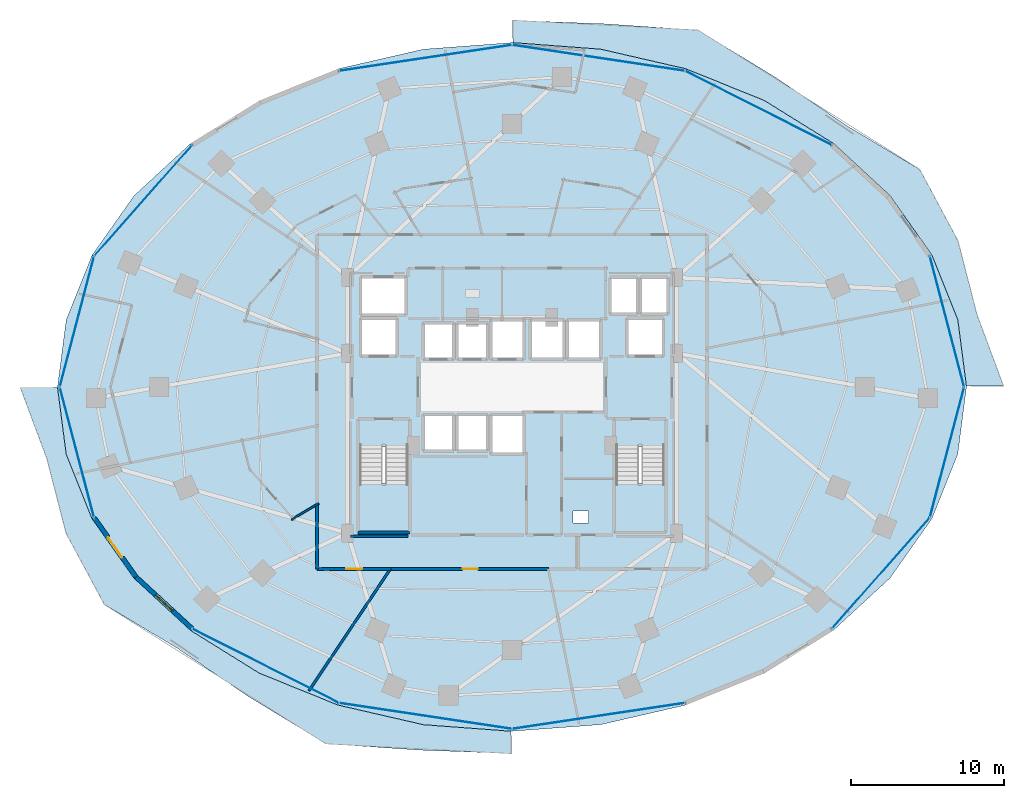
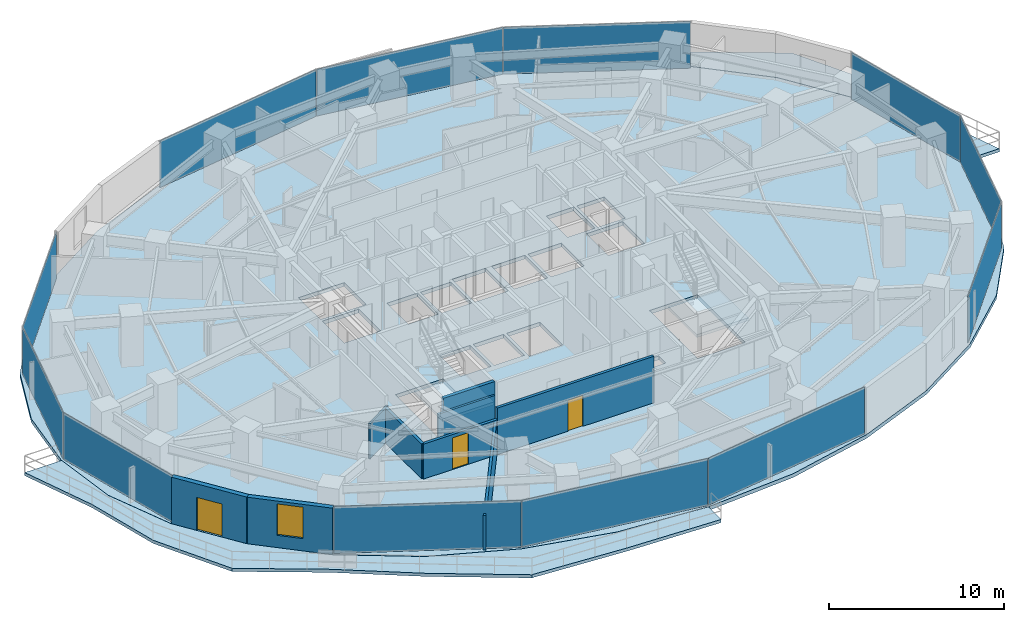
# One storey, part 25 of 33: 12 plates, 9 walls, 5 slabs, 3 doors, 1 window, 4 openings, 6 elements without a shape of their own.
"""IFC4 building model written with IfcOpenShell, lengths in metres."""

import ifcopenshell
import ifcopenshell.guid

model = None  # the IFC model being written
_history = None  # IfcOwnerHistory: only IFC2X3 demands one
_inside = {}  # id of a spatial element -> (the spatial element, [elements in it])
_under = {}  # id of a project, library or spatial element -> (it, [spatial elements below it])
_declared = {}  # id of a project -> (the project, [libraries it declares])
_typed = {}  # id of a type object -> (the type object, [elements of that type])
_made_of = {}  # id of a material, layer set ... -> (it, [elements and type objects made of it])


def new_model(schema):
    """Start an empty IFC model of exactly this schema.

    Asked for "IFC4X3", IfcOpenShell would pick the latest addendum, in which some entities
    have other attributes; the version numbers below select the first issue.
    IFC2X3 requires an IfcOwnerHistory on every rooted entity: one is made here for all.
    """
    global model, _history
    if schema == "IFC4X3":
        model = ifcopenshell.file(schema_version=(4, 3, 0, 0))
    else:
        model = ifcopenshell.file(schema=schema)
    _inside.clear()
    _under.clear()
    _declared.clear()
    _typed.clear()
    _made_of.clear()
    _history = None
    if model.schema == "IFC2X3":
        org = make("IfcOrganization", Name="unknown")
        user = make(
            "IfcPersonAndOrganization",
            ThePerson=make("IfcPerson", FamilyName="unknown"),
            TheOrganization=org,
        )
        app = make(
            "IfcApplication",
            ApplicationDeveloper=org,
            Version="unknown",
            ApplicationFullName="unknown",
            ApplicationIdentifier="unknown",
        )
        _history = make(
            "IfcOwnerHistory",
            OwningUser=user,
            OwningApplication=app,
            ChangeAction="ADDED",
            CreationDate=0,
        )
    return model


def make(cls, **values):
    """One entity of the class cls with the attributes given. An attribute that is None is left unset."""
    return model.create_entity(
        cls, **{name: value for name, value in values.items() if value is not None}
    )


def rooted(cls, **values):
    """An entity with a GlobalId (a new one), such as an element, a storey or a relation."""
    return make(cls, GlobalId=ifcopenshell.guid.new(), OwnerHistory=_history, **values)


def si_unit(unit_type, name, prefix=None):
    """IfcSIUnit, for example si_unit("LENGTHUNIT", "METRE", prefix="MILLI")."""
    return make("IfcSIUnit", UnitType=unit_type, Prefix=prefix, Name=name)


def assignment(units):
    """IfcUnitAssignment: the units of a project."""
    return None if units is None else make("IfcUnitAssignment", Units=units)


def point(xyz):
    """IfcCartesianPoint."""
    return None if xyz is None else make("IfcCartesianPoint", Coordinates=xyz)


def direction(xyz):
    """IfcDirection."""
    return None if xyz is None else make("IfcDirection", DirectionRatios=xyz)


def frame(location, z_axis=None, x_axis=None):
    """IfcAxis2Placement3D, a coordinate frame: its origin and axes. An axis left out is left unset."""
    return make(
        "IfcAxis2Placement3D",
        Location=point(location),
        Axis=direction(z_axis),
        RefDirection=direction(x_axis),
    )


def frame_2d(location, x_axis=None):
    """IfcAxis2Placement2D, a coordinate frame in the plane: its origin and x axis."""
    return make(
        "IfcAxis2Placement2D", Location=point(location), RefDirection=direction(x_axis)
    )


def origin():
    """The frame at (0, 0, 0) with its axes left unset."""
    return frame((0.0, 0.0, 0.0))


def origin_2d():
    """The frame at (0, 0) in the plane with its x axis left unset."""
    return frame_2d((0.0, 0.0))


def place(relative_to, where):
    """IfcLocalPlacement: puts the frame where relative to a parent placement (None: the world)."""
    return make(
        "IfcLocalPlacement", PlacementRelTo=relative_to, RelativePlacement=where
    )


def context(
    kind, dimensions, precision=None, world=None, true_north=None, identifier=None
):
    """IfcGeometricRepresentationContext, for example the 3D "Model" context."""
    return make(
        "IfcGeometricRepresentationContext",
        ContextIdentifier=identifier,
        ContextType=kind,
        CoordinateSpaceDimension=dimensions,
        Precision=precision,
        WorldCoordinateSystem=world,
        TrueNorth=true_north,
    )


def subcontext(parent, identifier, kind, view, scale=None):
    """IfcGeometricRepresentationSubContext, for example "Body" below "Model"."""
    return make(
        "IfcGeometricRepresentationSubContext",
        ContextIdentifier=identifier,
        ContextType=kind,
        ParentContext=parent,
        TargetScale=scale,
        TargetView=view,
    )


def project(units=None, contexts=None):
    """IfcProject with its units and contexts."""
    return rooted(
        "IfcProject",
        Name="project",
        RepresentationContexts=contexts,
        UnitsInContext=assignment(units),
    )


def spatial(cls, under=None, at=None, **own):
    """A site, building, storey or space (cls), placed at a placement, below another one or the project."""
    s = rooted(cls, ObjectPlacement=at, **own)
    if under is not None:
        _under.setdefault(under.id(), (under, []))[1].append(s)
    return s


def polyline(points):
    """IfcPolyline through the points."""
    return make("IfcPolyline", Points=[point(p) for p in points])


def profile(cls, at=None, kind="AREA", **sizes):
    """A parametric profile (cls). Its sizes go by their IFC names, for example OverallWidth=200.0."""
    return make(cls, ProfileType=kind, Position=at, **sizes)


def rectangle(**sizes):
    """IfcRectangleProfileDef."""
    return profile("IfcRectangleProfileDef", **sizes)


def outline(outer, holes=None, kind="AREA"):
    """IfcArbitraryClosedProfileDef: a profile drawn as a closed curve; with holes, ...WithVoids."""
    if holes is None:
        return make("IfcArbitraryClosedProfileDef", ProfileType=kind, OuterCurve=outer)
    return make(
        "IfcArbitraryProfileDefWithVoids",
        ProfileType=kind,
        OuterCurve=outer,
        InnerCurves=holes,
    )


def extrude(swept, where, along, depth):
    """IfcExtrudedAreaSolid: the profile swept, set in the frame where, extruded along a direction by depth."""
    return make(
        "IfcExtrudedAreaSolid",
        SweptArea=swept,
        Position=where,
        ExtrudedDirection=direction(along),
        Depth=depth,
    )


def shape(context_of_items, identifier, shape_type, items):
    """IfcShapeRepresentation: the items that make up one representation, for example the "Body"."""
    return make(
        "IfcShapeRepresentation",
        ContextOfItems=context_of_items,
        RepresentationIdentifier=identifier,
        RepresentationType=shape_type,
        Items=items,
    )


def material(Name=None, Category=None):
    """IfcMaterial."""
    return make("IfcMaterial", Name=Name, Category=Category)


def layer(
    of_material, thickness, ventilated=None, Name=None, Category=None, Priority=None
):
    """IfcMaterialLayer: one layer of a wall or slab, of a material (None: an air gap)."""
    return make(
        "IfcMaterialLayer",
        Material=of_material,
        LayerThickness=thickness,
        IsVentilated=ventilated,
        Name=Name,
        Category=Category,
        Priority=Priority,
    )


def layer_set(layers, Name=None):
    """IfcMaterialLayerSet."""
    return make("IfcMaterialLayerSet", MaterialLayers=layers, LayerSetName=Name)


def made_of(thing, what):
    """Note that an element or type object is made of a material, layer set ...; save() writes the relation."""
    if what is not None:
        _made_of.setdefault(what.id(), (what, []))[1].append(thing)
    return thing


def type_object(cls, material=None, **own):
    """A type object (cls), such as IfcWallType, which elements share."""
    return made_of(rooted(cls, **own), material)


def element(
    cls,
    number,
    at=None,
    inside=None,
    cuts=None,
    type_object=None,
    material=None,
    context=None,
    identifier="Body",
    shape_type=None,
    held_by="IfcProductDefinitionShape",
    body=None,
    shapes=None,
    **own,
):
    """One element of the class cls, such as IfcWall. Its Tag is "e" and its number.

    at: its placement. inside: the storey or other place that contains it. cuts: it is an
    opening in that element (IfcRelVoidsElement). A single representation is given by context,
    identifier, shape_type and body (its items); several are given by shapes. held_by: the class
    of the entity that holds the representations. save() writes the other relations.
    """
    e = rooted(cls, Tag="e%d" % number, ObjectPlacement=at, **own)
    if body is not None:
        shapes = [shape(context, identifier, shape_type, body)]
    if shapes is not None:
        e.Representation = make(held_by, Representations=shapes)
    if inside is not None:
        _inside.setdefault(inside.id(), (inside, []))[1].append(e)
    if cuts is not None:
        rooted(
            "IfcRelVoidsElement", RelatingBuildingElement=cuts, RelatedOpeningElement=e
        )
    if type_object is not None:
        _typed.setdefault(type_object.id(), (type_object, []))[1].append(e)
    return made_of(e, material)


def fill(opening, filler):
    """IfcRelFillsElement: the door or window that sits in an opening."""
    return rooted(
        "IfcRelFillsElement",
        RelatingOpeningElement=opening,
        RelatedBuildingElement=filler,
    )


def aggregate(whole, parts):
    """IfcRelAggregates: a whole, such as a stair, and the parts it consists of."""
    return rooted("IfcRelAggregates", RelatingObject=whole, RelatedObjects=parts)


def save(model, path):
    """Write the relations noted so far, then the file.

    IfcRelAggregates (storeys below a building ...), IfcRelContainedInSpatialStructure (elements
    in a storey), IfcRelDefinesByType, IfcRelAssociatesMaterial and IfcRelDeclares: one each for
    every whole, place, type object, material and project.
    """
    for whole, parts in _under.values():
        aggregate(whole, parts)
    for where, things in _inside.values():
        rooted(
            "IfcRelContainedInSpatialStructure",
            RelatedElements=things,
            RelatingStructure=where,
        )
    for kind, things in _typed.values():
        rooted("IfcRelDefinesByType", RelatedObjects=things, RelatingType=kind)
    for what, things in _made_of.values():
        rooted("IfcRelAssociatesMaterial", RelatedObjects=things, RelatingMaterial=what)
    for by, libraries in _declared.values():
        rooted("IfcRelDeclares", RelatingContext=by, RelatedDefinitions=libraries)
    model.write(path)


model = new_model("IFC4")

# Units and contexts
model_context = context("Model", 3, precision=1e-05, world=origin(), true_north=direction((0.0, 1.0)))
body_context = subcontext(model_context, "Body", "Model", "MODEL_VIEW")
ifc_project = project(units=[si_unit("LENGTHUNIT", "METRE"), si_unit("AREAUNIT", "SQUARE_METRE"), si_unit("VOLUMEUNIT", "CUBIC_METRE"), si_unit("PLANEANGLEUNIT", "RADIAN"), si_unit("MASSUNIT", "GRAM", prefix="KILO")], contexts=[model_context])

# Site, building, storey
site_placement = place(None, origin())
site = spatial("IfcSite", under=ifc_project, at=site_placement, CompositionType="ELEMENT")
building_placement = place(site_placement, origin())
building = spatial("IfcBuilding", under=site, at=building_placement, Name="Vorneva Point Tower", CompositionType="ELEMENT")
storey_placement = place(building_placement, frame((0.0, 0.0, 38.0)))
storey = spatial("IfcBuildingStorey", under=building, at=storey_placement, Name="L09", CompositionType="ELEMENT", Elevation=38.0)

# Curtain wall, plates
ifc_material_1 = material(Name="Pale anodised aluminium", Category="aluminium")
curtain_wall_type = type_object("IfcCurtainWallType", Name="CW-HTL-SYS", PredefinedType="NOTDEFINED", material=ifc_material_1)
curtain_wall_1_placement = place(storey_placement, origin())
curtain_wall_1 = element("IfcCurtainWall", 1, at=curtain_wall_1_placement, inside=storey, type_object=curtain_wall_type, Name="L09 Unitised Curtain Wall CW-L09-R01", PredefinedType="NOTDEFINED")
ifc_material_2 = material(Name="Double low-e laminated glass IGU", Category="glass")
ifc_layer_1 = layer(ifc_material_2, 0.035888671875)
ifc_layer_set_1 = layer_set([ifc_layer_1], Name="Double low-e laminated glass IGU")
plate_type = type_object("IfcPlateType", Name="CW-PNL-VIS", PredefinedType="CURTAIN_PANEL", material=ifc_layer_set_1)
plate_1_placement = place(storey_placement, frame((62.097900390625, 13.821533203125, -0.02001953125), z_axis=(0.0, 0.0, 1.0), x_axis=(0.662070857019, 0.749441245386, 0.0)))
plate_1 = element("IfcPlate", 2, at=plate_1_placement, type_object=plate_type, Name="CW-L09-R01 Glazed Panel 01", PredefinedType="CURTAIN_PANEL", context=body_context, shape_type="SweptSolid", body=[
    extrude(rectangle(XDim=9.625, YDim=0.035888671875, at=origin_2d()), origin(), (0.0, 0.0, 1.0), 3.280029296875),
])
plate_2_placement = place(storey_placement, frame((66.42529296875, 21.723388671875, -0.02001953125), z_axis=(0.0, 0.0, 1.0), x_axis=(0.254348767449, 0.967112560407, 0.0)))
plate_2 = element("IfcPlate", 3, at=plate_2_placement, type_object=plate_type, Name="CW-L09-R01 Glazed Panel 02", PredefinedType="CURTAIN_PANEL", context=body_context, shape_type="SweptSolid", body=[
    extrude(rectangle(XDim=8.793701171875, YDim=0.035888671875, at=origin_2d()), origin(), (0.0, 0.0, 1.0), 3.280029296875),
])
plate_3_placement = place(storey_placement, frame((66.42529296875, 30.276611328125, -0.02001953125), z_axis=(0.0, 0.0, 1.0), x_axis=(-0.254348767449, 0.967112560407, 0.0)))
plate_3 = element("IfcPlate", 4, at=plate_3_placement, type_object=plate_type, Name="CW-L09-R01 Glazed Panel 03", PredefinedType="CURTAIN_PANEL", context=body_context, shape_type="SweptSolid", body=[
    extrude(rectangle(XDim=8.793701171875, YDim=0.035888671875, at=origin_2d()), origin(), (0.0, 0.0, 1.0), 3.280029296875),
])
aggregate(curtain_wall_1, [plate_1, plate_2, plate_3])

curtain_wall_2_placement = place(storey_placement, origin())
curtain_wall_2 = element("IfcCurtainWall", 5, at=curtain_wall_2_placement, inside=storey, type_object=curtain_wall_type, Name="L09 Unitised Curtain Wall CW-L09-R02", PredefinedType="NOTDEFINED")
plate_4_placement = place(storey_placement, frame((54.101806640625, 44.226318359375, -0.02001953125), z_axis=(0.0, 0.0, 1.0), x_axis=(-0.892499239729, 0.451048896554, 0.0)))
plate_4 = element("IfcPlate", 6, at=plate_4_placement, type_object=plate_type, Name="CW-L09-R02 Glazed Panel 01", PredefinedType="CURTAIN_PANEL", context=body_context, shape_type="SweptSolid", body=[
    extrude(rectangle(XDim=10.69140625, YDim=0.035888671875, at=origin_2d()), origin(), (0.0, 0.0, 1.0), 3.280029296875),
])
plate_5_placement = place(storey_placement, frame((43.654296875, 47.499267578125, -0.02001953125), z_axis=(0.0, 0.0, 1.0), x_axis=(-0.988870924381, 0.148775989034, 0.0)))
plate_5 = element("IfcPlate", 7, at=plate_5_placement, type_object=plate_type, Name="CW-L09-R02 Glazed Panel 02", PredefinedType="CURTAIN_PANEL", context=body_context, shape_type="SweptSolid", body=[
    extrude(rectangle(XDim=11.385498046875, YDim=0.035888671875, at=origin_2d()), origin(), (0.0, 0.0, 1.0), 3.280029296875),
])
plate_6_placement = place(storey_placement, frame((32.345703125, 47.499267578125, -0.02001953125), z_axis=(0.0, 0.0, 1.0), x_axis=(-0.988870924381, -0.148775989034, 0.0)))
plate_6 = element("IfcPlate", 8, at=plate_6_placement, type_object=plate_type, Name="CW-L09-R02 Glazed Panel 03", PredefinedType="CURTAIN_PANEL", context=body_context, shape_type="SweptSolid", body=[
    extrude(rectangle(XDim=11.385498046875, YDim=0.035888671875, at=origin_2d()), origin(), (0.0, 0.0, 1.0), 3.280029296875),
])
aggregate(curtain_wall_2, [plate_4, plate_5, plate_6])

curtain_wall_3_placement = place(storey_placement, origin())
curtain_wall_3 = element("IfcCurtainWall", 9, at=curtain_wall_3_placement, inside=storey, type_object=curtain_wall_type, Name="L09 Unitised Curtain Wall CW-L09-R03", PredefinedType="NOTDEFINED")
plate_7_placement = place(storey_placement, frame((13.902099609375, 38.178466796875, -0.02001953125), z_axis=(0.0, 0.0, 1.0), x_axis=(-0.662070857019, -0.749441245386, 0.0)))
plate_7 = element("IfcPlate", 10, at=plate_7_placement, type_object=plate_type, Name="CW-L09-R03 Glazed Panel 01", PredefinedType="CURTAIN_PANEL", context=body_context, shape_type="SweptSolid", body=[
    extrude(rectangle(XDim=9.625, YDim=0.035888671875, at=origin_2d()), origin(), (0.0, 0.0, 1.0), 3.280029296875),
])
plate_8_placement = place(storey_placement, frame((9.57470703125, 30.276611328125, -0.02001953125), z_axis=(0.0, 0.0, 1.0), x_axis=(-0.254348767449, -0.967112560407, 0.0)))
plate_8 = element("IfcPlate", 11, at=plate_8_placement, type_object=plate_type, Name="CW-L09-R03 Glazed Panel 02", PredefinedType="CURTAIN_PANEL", context=body_context, shape_type="SweptSolid", body=[
    extrude(rectangle(XDim=8.793701171875, YDim=0.035888671875, at=origin_2d()), origin(), (0.0, 0.0, 1.0), 3.280029296875),
])
plate_9_placement = place(storey_placement, frame((9.57470703125, 21.723388671875, -0.02001953125), z_axis=(0.0, 0.0, 1.0), x_axis=(0.254348767449, -0.967112560407, 0.0)))
plate_9 = element("IfcPlate", 12, at=plate_9_placement, type_object=plate_type, Name="CW-L09-R03 Glazed Panel 03", PredefinedType="CURTAIN_PANEL", context=body_context, shape_type="SweptSolid", body=[
    extrude(rectangle(XDim=8.793701171875, YDim=0.035888671875, at=origin_2d()), origin(), (0.0, 0.0, 1.0), 3.280029296875),
])
aggregate(curtain_wall_3, [plate_7, plate_8, plate_9])

curtain_wall_4_placement = place(storey_placement, origin())
curtain_wall_4 = element("IfcCurtainWall", 13, at=curtain_wall_4_placement, inside=storey, type_object=curtain_wall_type, Name="L09 Unitised Curtain Wall CW-L09-R04", PredefinedType="NOTDEFINED")
plate_10_placement = place(storey_placement, frame((21.8984375, 7.773681640625, -0.02001953125), z_axis=(0.0, 0.0, 1.0), x_axis=(0.892499239729, -0.451048896554, 0.0)))
plate_10 = element("IfcPlate", 14, at=plate_10_placement, type_object=plate_type, Name="CW-L09-R04 Glazed Panel 01", PredefinedType="CURTAIN_PANEL", context=body_context, shape_type="SweptSolid", body=[
    extrude(rectangle(XDim=10.69140625, YDim=0.035888671875, at=origin_2d()), origin(), (0.0, 0.0, 1.0), 3.280029296875),
])
plate_11_placement = place(storey_placement, frame((32.345703125, 4.500732421875, -0.02001953125), z_axis=(0.0, 0.0, 1.0), x_axis=(0.988870924381, -0.148775989034, 0.0)))
plate_11 = element("IfcPlate", 15, at=plate_11_placement, type_object=plate_type, Name="CW-L09-R04 Glazed Panel 02", PredefinedType="CURTAIN_PANEL", context=body_context, shape_type="SweptSolid", body=[
    extrude(rectangle(XDim=11.385498046875, YDim=0.035888671875, at=origin_2d()), origin(), (0.0, 0.0, 1.0), 3.280029296875),
])
plate_12_placement = place(storey_placement, frame((43.654296875, 4.500732421875, -0.02001953125), z_axis=(0.0, 0.0, 1.0), x_axis=(0.988870924381, 0.148775989034, 0.0)))
plate_12 = element("IfcPlate", 16, at=plate_12_placement, type_object=plate_type, Name="CW-L09-R04 Glazed Panel 03", PredefinedType="CURTAIN_PANEL", context=body_context, shape_type="SweptSolid", body=[
    extrude(rectangle(XDim=11.385498046875, YDim=0.035888671875, at=origin_2d()), origin(), (0.0, 0.0, 1.0), 3.280029296875),
])
aggregate(curtain_wall_4, [plate_10, plate_11, plate_12])

# Slabs
ifc_material_3 = material(Name="Concrete B50 (C40/50)", Category="concrete")
ifc_layer_2 = layer(ifc_material_3, 0.219970703125)
ifc_layer_set_2 = layer_set([ifc_layer_2], Name="Concrete B50 (C40/50)")
slab_type_1 = type_object("IfcSlabType", Name="SLB-BAL-220", PredefinedType="FLOOR", material=ifc_layer_set_2)
slab_1_placement = place(storey_placement, frame((0.0, 0.0, -0.219970703125)))
element("IfcSlab", 17, at=slab_1_placement, inside=storey, type_object=slab_type_1, Name="L09 Cantilevered Wave Balcony NE", PredefinedType="FLOOR", context=body_context, shape_type="SweptSolid", body=[
    extrude(outline(polyline([(38.050048828125, 49.953125), (38.050048828125, 48.500244140625), (43.79443359375, 48.07177734375), (43.794921875, 48.07177734375), (43.795166015625, 48.071533203125), (49.36669921875, 46.791259765625), (49.366943359375, 46.791015625), (49.3671875, 46.791015625), (54.501953125, 44.7119140625), (54.502197265625, 44.711669921875), (54.50244140625, 44.71142578125), (59.003173828125, 41.913330078125), (59.00341796875, 41.9130859375), (59.00390625, 41.912841796875), (62.697265625, 38.503173828125), (62.697509765625, 38.5029296875), (62.697998046875, 38.502685546875), (65.4423828125, 34.61279296875), (65.442626953125, 34.6123046875), (65.44287109375, 34.61181640625), (67.133056640625, 30.39111328125), (67.133056640625, 30.390625), (67.13330078125, 30.390380859375), (67.13330078125, 30.389892578125), (67.697509765625, 26.050048828125), (70.12646484375, 26.050048828125), (68.389892578125, 30.720458984375), (67.150146484375, 35.5458984375), (64.64208984375, 40.218017578125), (59.879638671875, 43.069580078125), (55.260009765625, 46.208984375), (50.1591796875, 49.315673828125), (44.044921875, 49.73095703125), (38.050048828125, 49.953125)])), origin(), (0.0, 0.0, 1.0), 0.219970703125),
])
slab_2_placement = place(storey_placement, frame((0.0, 0.0, -0.219970703125)))
element("IfcSlab", 18, at=slab_2_placement, inside=storey, type_object=slab_type_1, Name="L09 Cantilevered Wave Balcony SW", PredefinedType="FLOOR", context=body_context, shape_type="SweptSolid", body=[
    extrude(outline(polyline([(37.949951171875, 2.046875), (37.949951171875, 3.499755859375), (32.20556640625, 3.92822265625), (32.205078125, 3.92822265625), (32.204833984375, 3.928466796875), (26.63330078125, 5.208740234375), (26.633056640625, 5.208984375), (26.6328125, 5.208984375), (21.498046875, 7.2880859375), (21.497802734375, 7.288330078125), (21.49755859375, 7.28857421875), (16.996826171875, 10.086669921875), (16.99658203125, 10.0869140625), (16.99609375, 10.087158203125), (13.302734375, 13.496826171875), (13.302490234375, 13.4970703125), (13.302001953125, 13.497314453125), (10.5576171875, 17.38720703125), (10.557373046875, 17.3876953125), (10.55712890625, 17.38818359375), (8.866943359375, 21.60888671875), (8.866943359375, 21.609375), (8.86669921875, 21.609619140625), (8.86669921875, 21.610107421875), (8.302490234375, 25.949951171875), (5.87353515625, 25.949951171875), (7.610107421875, 21.279541015625), (8.849853515625, 16.4541015625), (11.35791015625, 11.781982421875), (16.120361328125, 8.930419921875), (20.739990234375, 5.791015625), (25.8408203125, 2.684326171875), (31.955078125, 2.26904296875), (37.949951171875, 2.046875)])), origin(), (0.0, 0.0, 1.0), 0.219970703125),
])

# Stair, slab
stair_type = type_object("IfcStairType", Name="ST-DOG-1500", PredefinedType="HALF_TURN_STAIR", material=ifc_material_3)
stair_1_placement = place(storey_placement, origin())
stair_1 = element("IfcStair", 19, at=stair_1_placement, inside=storey, type_object=stair_type, Name="L09 ST1", PredefinedType="HALF_TURN_STAIR")
ifc_layer_3 = layer(ifc_material_3, 0.199951171875)
ifc_layer_set_3 = layer_set([ifc_layer_3], Name="Concrete B50 (C40/50)")
slab_type_2 = type_object("IfcSlabType", Name="SLB-LND-200", PredefinedType="LANDING", material=ifc_layer_set_3)
slab_3_placement = place(storey_placement, frame((0.0, 0.0, 1.550048828125)))
slab_3 = element("IfcSlab", 20, at=slab_3_placement, type_object=slab_type_2, Name="ST1 landing 1", PredefinedType="LANDING", context=body_context, shape_type="SweptSolid", body=[
    extrude(outline(polyline([(27.929931640625, 16.47998046875), (31.320068359375, 16.47998046875), (31.320068359375, 19.72998046875), (27.929931640625, 19.72998046875), (27.929931640625, 16.47998046875)])), origin(), (0.0, 0.0, 1.0), 0.199951171875),
])
aggregate(stair_1, [slab_3])

stair_2_placement = place(storey_placement, origin())
stair_2 = element("IfcStair", 21, at=stair_2_placement, inside=storey, type_object=stair_type, Name="L09 ST2", PredefinedType="HALF_TURN_STAIR")
slab_4_placement = place(storey_placement, frame((0.0, 0.0, 1.550048828125)))
slab_4 = element("IfcSlab", 22, at=slab_4_placement, type_object=slab_type_2, Name="ST2 landing 1", PredefinedType="LANDING", context=body_context, shape_type="SweptSolid", body=[
    extrude(outline(polyline([(44.679931640625, 16.47998046875), (48.070068359375, 16.47998046875), (48.070068359375, 19.72998046875), (44.679931640625, 19.72998046875), (44.679931640625, 16.47998046875)])), origin(), (0.0, 0.0, 1.0), 0.199951171875),
])
aggregate(stair_2, [slab_4])

# Slab
ifc_layer_4 = layer(ifc_material_3, 0.260009765625)
ifc_layer_set_4 = layer_set([ifc_layer_4], Name="Concrete B50 (C40/50)")
slab_type_3 = type_object("IfcSlabType", Name="SLB-TYP-260", PredefinedType="FLOOR", material=ifc_layer_set_4)
slab_5_placement = place(storey_placement, frame((0.0, 0.0, -0.260009765625)))
element("IfcSlab", 23, at=slab_5_placement, inside=storey, type_object=slab_type_3, Name="L09 Structural Floor Plate", PredefinedType="FLOOR", context=body_context, shape_type="SweptSolid", body=[
    extrude(outline(polyline([(67.699951171875, 26.0), (67.12939453125, 30.389404296875), (65.439208984375, 34.6103515625), (62.694580078125, 38.500244140625), (59.001220703125, 41.909912109375), (54.50048828125, 44.7080078125), (49.36572265625, 46.787353515625), (43.794189453125, 48.067626953125), (38.0, 48.5), (32.205810546875, 48.067626953125), (26.63427734375, 46.787353515625), (21.49951171875, 44.7080078125), (16.998779296875, 41.909912109375), (13.305419921875, 38.500244140625), (10.560791015625, 34.6103515625), (8.87060546875, 30.389404296875), (8.300048828125, 26.0), (8.87060546875, 21.610595703125), (10.560791015625, 17.3896484375), (13.305419921875, 13.499755859375), (16.998779296875, 10.090087890625), (21.49951171875, 7.2919921875), (26.63427734375, 5.212646484375), (32.205810546875, 3.932373046875), (38.0, 3.5), (43.794189453125, 3.932373046875), (49.36572265625, 5.212646484375), (54.50048828125, 7.2919921875), (59.001220703125, 10.090087890625), (62.694580078125, 13.499755859375), (65.439208984375, 17.3896484375), (67.12939453125, 21.610595703125), (67.699951171875, 26.0)]), holes=[polyline([(32.199951171875, 27.800048828125), (34.199951171875, 27.800048828125), (34.199951171875, 30.199951171875), (32.199951171875, 30.199951171875), (32.199951171875, 27.800048828125)]), polyline([(34.39990234375, 27.800048828125), (36.39990234375, 27.800048828125), (36.39990234375, 30.199951171875), (34.39990234375, 30.199951171875), (34.39990234375, 27.800048828125)]), polyline([(36.60009765625, 27.800048828125), (38.800048828125, 27.800048828125), (38.800048828125, 30.39990234375), (36.60009765625, 30.39990234375), (36.60009765625, 27.800048828125)]), polyline([(32.199951171875, 21.800048828125), (34.199951171875, 21.800048828125), (34.199951171875, 24.199951171875), (32.199951171875, 24.199951171875), (32.199951171875, 21.800048828125)]), polyline([(34.39990234375, 21.800048828125), (36.39990234375, 21.800048828125), (36.39990234375, 24.199951171875), (34.39990234375, 24.199951171875), (34.39990234375, 21.800048828125)]), polyline([(36.60009765625, 21.60009765625), (38.800048828125, 21.60009765625), (38.800048828125, 24.199951171875), (36.60009765625, 24.199951171875), (36.60009765625, 21.60009765625)]), polyline([(39.199951171875, 27.800048828125), (41.39990234375, 27.800048828125), (41.39990234375, 30.39990234375), (39.199951171875, 30.39990234375), (39.199951171875, 27.800048828125)]), polyline([(41.60009765625, 27.800048828125), (43.800048828125, 27.800048828125), (43.800048828125, 30.39990234375), (41.60009765625, 30.39990234375), (41.60009765625, 27.800048828125)]), polyline([(44.39990234375, 30.739990234375), (46.199951171875, 30.739990234375), (46.199951171875, 33.159912109375), (44.39990234375, 33.159912109375), (44.39990234375, 30.739990234375)]), polyline([(46.39990234375, 30.739990234375), (48.199951171875, 30.739990234375), (48.199951171875, 33.159912109375), (46.39990234375, 33.159912109375), (46.39990234375, 30.739990234375)]), polyline([(28.10009765625, 28.0), (30.5, 28.0), (30.5, 30.5), (28.10009765625, 30.5), (28.10009765625, 28.0)]), polyline([(45.5, 28.0), (47.89990234375, 28.0), (47.89990234375, 30.5), (45.5, 30.5), (45.5, 28.0)]), polyline([(28.10009765625, 30.699951171875), (31.10009765625, 30.699951171875), (31.10009765625, 33.199951171875), (28.10009765625, 33.199951171875), (28.10009765625, 30.699951171875)]), polyline([(28.050048828125, 16.60009765625), (31.199951171875, 16.60009765625), (31.199951171875, 22.080078125), (28.050048828125, 22.080078125), (28.050048828125, 16.60009765625)]), polyline([(44.800048828125, 16.60009765625), (47.949951171875, 16.60009765625), (47.949951171875, 22.080078125), (44.800048828125, 22.080078125), (44.800048828125, 16.60009765625)]), polyline([(42.0, 17.10009765625), (43.0, 17.10009765625), (43.0, 17.89990234375), (42.0, 17.89990234375), (42.0, 17.10009765625)])]), origin(), (0.0, 0.0, 1.0), 0.260009765625),
])

# Wall, opening, door
ifc_material_4 = material(Name="Precast concrete B50 (C40/50)", Category="concrete")
ifc_layer_5 = layer(ifc_material_4, 0.300048828125)
ifc_layer_set_5 = layer_set([ifc_layer_5], Name="Precast concrete B50 (C40/50)")
wall_type_1 = type_object("IfcWallType", Name="WL-EXT-300", PredefinedType="STANDARD", material=ifc_layer_set_5)
wall_1_placement = place(storey_placement, frame((10.699462890625, 17.447021484375, 0.0), z_axis=(0.0, 0.0, 1.0), x_axis=(0.577130815624, -0.816651713803, 0.0)))
wall_1 = element("IfcWall", 24, at=wall_1_placement, inside=storey, type_object=wall_type_1, Name="L09 Pale-Metal Facade Spandrel Wall 10.1", PredefinedType="STANDARD", context=body_context, shape_type="SweptSolid", body=[
    extrude(rectangle(XDim=4.7314453125, YDim=0.300048828125, at=frame_2d((2.36572265625, 0.0))), origin(), (0.0, 0.0, 1.0), 3.239990234375),
])
opening_1_placement = place(wall_1_placement, frame((1.56591796875, 0.0, 0.0)))
opening_1 = element("IfcOpeningElement", 25, at=opening_1_placement, cuts=wall_1, Name="Opening BD-01", PredefinedType="OPENING", context=body_context, shape_type="SweptSolid", body=[
    extrude(rectangle(XDim=1.60009765625, YDim=2.300048828125, at=frame_2d((0.800048828125, 1.14990234375))), frame((0.0, 0.1650390625, 0.0), z_axis=(0.0, -1.0, 0.0), x_axis=(1.0, 0.0, 0.0)), (0.0, 0.0, 1.0), 0.329833984375),
])
door_type_1 = type_object("IfcDoorType", Name="DR-BAL-1600", OperationType="SLIDING_TO_LEFT", PredefinedType="DOOR", material=ifc_material_1)
door_1_placement = place(opening_1_placement, origin())
door_1 = element("IfcDoor", 26, at=door_1_placement, inside=storey, type_object=door_type_1, Name="L09 Balcony Terrace Access Door 10", OperationType="SLIDING_TO_LEFT", OverallHeight=2.300048828125, OverallWidth=1.60009765625, PredefinedType="DOOR", context=body_context, shape_type="SweptSolid", body=[
    extrude(rectangle(XDim=1.60009765625, YDim=2.300048828125, at=frame_2d((0.800048828125, 1.14990234375))), frame((0.0, 0.02490234375, 0.0), z_axis=(0.0, -1.0, 0.0), x_axis=(1.0, 0.0, 0.0)), (0.0, 0.0, 1.0), 0.050048828125),
])
fill(opening_1, door_1)

# Wall, opening, window
wall_2_placement = place(storey_placement, frame((13.43017578125, 13.5830078125, 0.0), z_axis=(0.0, 0.0, 1.0), x_axis=(0.735342629635, -0.677695519419, 0.0)))
wall_2 = element("IfcWall", 27, at=wall_2_placement, inside=storey, type_object=wall_type_1, Name="L09 Pale-Metal Facade Spandrel Wall 10.2", PredefinedType="STANDARD", context=body_context, shape_type="SweptSolid", body=[
    extrude(rectangle(XDim=4.997314453125, YDim=0.300048828125, at=frame_2d((2.49853515625, 0.0))), origin(), (0.0, 0.0, 1.0), 3.239990234375),
])
opening_2_placement = place(wall_2_placement, frame((1.748779296875, 0.0, 0.85009765625)))
opening_2 = element("IfcOpeningElement", 28, at=opening_2_placement, cuts=wall_2, Name="Opening W-02", PredefinedType="OPENING", context=body_context, shape_type="SweptSolid", body=[
    extrude(rectangle(XDim=1.5, YDim=2.18994140625, at=frame_2d((0.75, 1.094970703125))), frame((0.0, 0.1650390625, 0.0), z_axis=(0.0, -1.0, 0.0), x_axis=(1.0, 0.0, 0.0)), (0.0, 0.0, 1.0), 0.329833984375),
])
window_type = type_object("IfcWindowType", Name="WN-HTL-1500", PartitioningType="SINGLE_PANEL", PredefinedType="WINDOW", material=ifc_material_2)
window_placement = place(opening_2_placement, origin())
window = element("IfcWindow", 29, at=window_placement, inside=storey, type_object=window_type, Name="L09 Facade Window 10", OverallHeight=2.18994140625, OverallWidth=1.5, PartitioningType="SINGLE_PANEL", PredefinedType="WINDOW", context=body_context, shape_type="SweptSolid", body=[
    extrude(rectangle(XDim=1.5, YDim=2.18994140625, at=frame_2d((0.75, 1.094970703125))), frame((0.0, 0.030029296875, 0.0), z_axis=(0.0, -1.0, 0.0), x_axis=(1.0, 0.0, 0.0)), (0.0, 0.0, 1.0), 0.06005859375),
])
fill(opening_2, window)

# Walls
ifc_material_5 = material(Name="Fire-rated acoustic gypsum stud partition", Category="gypsum")
ifc_layer_6 = layer(ifc_material_5, 0.110107421875)
ifc_layer_set_6 = layer_set([ifc_layer_6], Name="Fire-rated acoustic gypsum stud partition")
wall_type_2 = type_object("IfcWallType", Name="WL-PART-110", PredefinedType="PARTITIONING", material=ifc_layer_set_6)
wall_3_placement = place(storey_placement, frame((25.369873046875, 18.396240234375, 0.0), z_axis=(0.0, 0.0, 1.0), x_axis=(-0.856631627837, -0.515928535932, 0.0)))
element("IfcWall", 30, at=wall_3_placement, inside=storey, type_object=wall_type_2, Name="L09 Interior Partition 080", PredefinedType="PARTITIONING", context=body_context, shape_type="SweptSolid", body=[
    extrude(rectangle(XDim=2.078857421875, YDim=0.110107421875, at=frame_2d((1.03955078125, 0.0))), origin(), (0.0, 0.0, 1.0), 2.431884765625),
])
ifc_layer_7 = layer(ifc_material_5, 0.139892578125)
ifc_layer_set_7 = layer_set([ifc_layer_7], Name="Fire-rated acoustic gypsum stud partition")
wall_type_3 = type_object("IfcWallType", Name="WL-PART-140", PredefinedType="PARTITIONING", material=ifc_layer_set_7)
wall_4_placement = place(storey_placement, frame((31.195068359375, 16.239990234375, 0.0), z_axis=(0.0, 0.0, 1.0), x_axis=(-1.0, 0.0, 0.0)))
element("IfcWall", 31, at=wall_4_placement, inside=storey, type_object=wall_type_3, Name="L09 Interior Closure Partition 098", PredefinedType="PARTITIONING", context=body_context, shape_type="SweptSolid", body=[
    extrude(rectangle(XDim=3.7451171875, YDim=0.139892578125, at=frame_2d((1.87255859375, 0.0))), origin(), (0.0, 0.0, 1.0), 2.431884765625),
])
ifc_layer_8 = layer(ifc_material_5, 0.159912109375)
ifc_layer_set_8 = layer_set([ifc_layer_8], Name="Fire-rated acoustic gypsum stud partition")
wall_type_4 = type_object("IfcWallType", Name="WL-PART-160", PredefinedType="PARTITIONING", material=ifc_layer_set_8)
wall_5_placement = place(storey_placement, frame((24.73291015625, 6.14404296875, 0.0), z_axis=(0.0, 0.0, 1.0), x_axis=(0.555577192504, 0.831464962082, 0.0)))
element("IfcWall", 32, at=wall_5_placement, inside=storey, type_object=wall_type_4, Name="L09 Interior Partition 083", PredefinedType="PARTITIONING", context=body_context, shape_type="SweptSolid", body=[
    extrude(rectangle(XDim=9.568603515625, YDim=0.159912109375, at=frame_2d((4.7841796875, 0.0))), origin(), (0.0, 0.0, 1.0), 2.431884765625),
])
ifc_material_6 = material(Name="Autoclaved aerated concrete blockwork", Category="masonry")
ifc_layer_9 = layer(ifc_material_6, 0.179931640625)
ifc_layer_set_9 = layer_set([ifc_layer_9], Name="Autoclaved aerated concrete blockwork")
wall_type_5 = type_object("IfcWallType", Name="WL-PART-180", PredefinedType="PARTITIONING", material=ifc_layer_set_9)
wall_6_placement = place(storey_placement, frame((25.25, 18.384033203125, 0.0), z_axis=(0.0, 0.0, 1.0), x_axis=(0.0, -1.0, 0.0)))
element("IfcWall", 33, at=wall_6_placement, inside=storey, type_object=wall_type_5, Name="L09 Interior Partition 033", PredefinedType="PARTITIONING", context=body_context, shape_type="SweptSolid", body=[
    extrude(rectangle(XDim=4.283935546875, YDim=0.179931640625, at=frame_2d((2.14208984375, 0.0))), origin(), (0.0, 0.0, 1.0), 2.431884765625),
])

# Wall, opening, door
wall_7_placement = place(storey_placement, frame((25.25, 14.10009765625, 0.0), z_axis=(0.0, 0.0, 1.0), x_axis=(1.0, 0.0, 0.0)))
wall_7 = element("IfcWall", 34, at=wall_7_placement, inside=storey, type_object=wall_type_5, Name="L09 Interior Partition 034", PredefinedType="PARTITIONING", context=body_context, shape_type="SweptSolid", body=[
    extrude(rectangle(XDim=4.85888671875, YDim=0.179931640625, at=frame_2d((2.429443359375, 0.0))), origin(), (0.0, 0.0, 1.0), 2.431884765625),
])
opening_3_placement = place(wall_7_placement, frame((1.904541015625, 0.0, 0.0)))
opening_3 = element("IfcOpeningElement", 35, at=opening_3_placement, cuts=wall_7, Name="Opening UD-02", PredefinedType="OPENING", context=body_context, shape_type="SweptSolid", body=[
    extrude(rectangle(XDim=1.050048828125, YDim=2.199951171875, at=frame_2d((0.52490234375, 1.10009765625))), frame((0.0, 0.10498046875, 0.0), z_axis=(0.0, -1.0, 0.0), x_axis=(1.0, 0.0, 0.0)), (0.0, 0.0, 1.0), 0.209716796875),
])
ifc_material_7 = material(Name="Engineered oak fire-rated door leaf", Category="wood")
door_type_2 = type_object("IfcDoorType", Name="DR-SUITE-1050", OperationType="NOTDEFINED", PredefinedType="DOOR", material=ifc_material_7)
door_2_placement = place(opening_3_placement, origin())
door_2 = element("IfcDoor", 36, at=door_2_placement, inside=storey, type_object=door_type_2, Name="L09 Door L09 Circulation Corridor / Corner Suite L09-05", OperationType="SINGLE_SWING_RIGHT", OverallHeight=2.199951171875, OverallWidth=1.050048828125, PredefinedType="DOOR", context=body_context, shape_type="SweptSolid", body=[
    extrude(rectangle(XDim=1.050048828125, YDim=2.199951171875, at=frame_2d((0.52490234375, 1.10009765625))), frame((0.0, 0.02490234375, 0.0), z_axis=(0.0, -1.0, 0.0), x_axis=(1.0, 0.0, 0.0)), (0.0, 0.0, 1.0), 0.050048828125),
])
fill(opening_3, door_2)

wall_8_placement = place(storey_placement, frame((30.10888671875, 14.10009765625, 0.0), z_axis=(0.0, 0.0, 1.0), x_axis=(1.0, 0.0, 0.0)))
wall_8 = element("IfcWall", 37, at=wall_8_placement, inside=storey, type_object=wall_type_5, Name="L09 Interior Partition 036", PredefinedType="PARTITIONING", context=body_context, shape_type="SweptSolid", body=[
    extrude(rectangle(XDim=10.319091796875, YDim=0.179931640625, at=frame_2d((5.15966796875, 0.0))), origin(), (0.0, 0.0, 1.0), 3.239990234375),
])
opening_4_placement = place(wall_8_placement, frame((4.659423828125, 0.0, 0.0)))
opening_4 = element("IfcOpeningElement", 38, at=opening_4_placement, cuts=wall_8, Name="Opening UD-01", PredefinedType="OPENING", context=body_context, shape_type="SweptSolid", body=[
    extrude(rectangle(XDim=1.0, YDim=2.14990234375, at=frame_2d((0.5, 1.074951171875))), frame((0.0, 0.10498046875, 0.0), z_axis=(0.0, -1.0, 0.0), x_axis=(1.0, 0.0, 0.0)), (0.0, 0.0, 1.0), 0.209716796875),
])
door_type_3 = type_object("IfcDoorType", Name="DR-UNIT-1000", OperationType="NOTDEFINED", PredefinedType="DOOR", material=ifc_material_7)
door_3_placement = place(opening_4_placement, origin())
door_3 = element("IfcDoor", 39, at=door_3_placement, inside=storey, type_object=door_type_3, Name="L09 Door L09 Circulation Corridor / Executive Meeting Room L09-06", OperationType="SINGLE_SWING_LEFT", OverallHeight=2.14990234375, OverallWidth=1.0, PredefinedType="DOOR", context=body_context, shape_type="SweptSolid", body=[
    extrude(rectangle(XDim=1.0, YDim=2.14990234375, at=frame_2d((0.5, 1.074951171875))), frame((0.0, 0.02490234375, 0.0), z_axis=(0.0, -1.0, 0.0), x_axis=(1.0, 0.0, 0.0)), (0.0, 0.0, 1.0), 0.050048828125),
])
fill(opening_4, door_3)

# Wall
ifc_layer_10 = layer(ifc_material_3, 0.219970703125)
ifc_layer_set_10 = layer_set([ifc_layer_10], Name="Concrete B50 (C40/50)")
wall_type_6 = type_object("IfcWallType", Name="WL-SHFT-220", PredefinedType="SOLIDWALL", material=ifc_layer_set_10)
wall_9_placement = place(storey_placement, frame((31.31005859375, 16.489990234375, 0.0), z_axis=(0.0, 0.0, 1.0), x_axis=(-1.0, 0.0, 0.0)))
element("IfcWall", 40, at=wall_9_placement, inside=storey, type_object=wall_type_6, Name="L09 Exit Stair ST1 Shaft Wall far", PredefinedType="SOLIDWALL", context=body_context, shape_type="SweptSolid", body=[
    extrude(rectangle(XDim=3.3701171875, YDim=0.219970703125, at=frame_2d((1.68505859375, 0.0))), origin(), (0.0, 0.0, 1.0), 3.239990234375),
])

save(model, "model.ifc")
